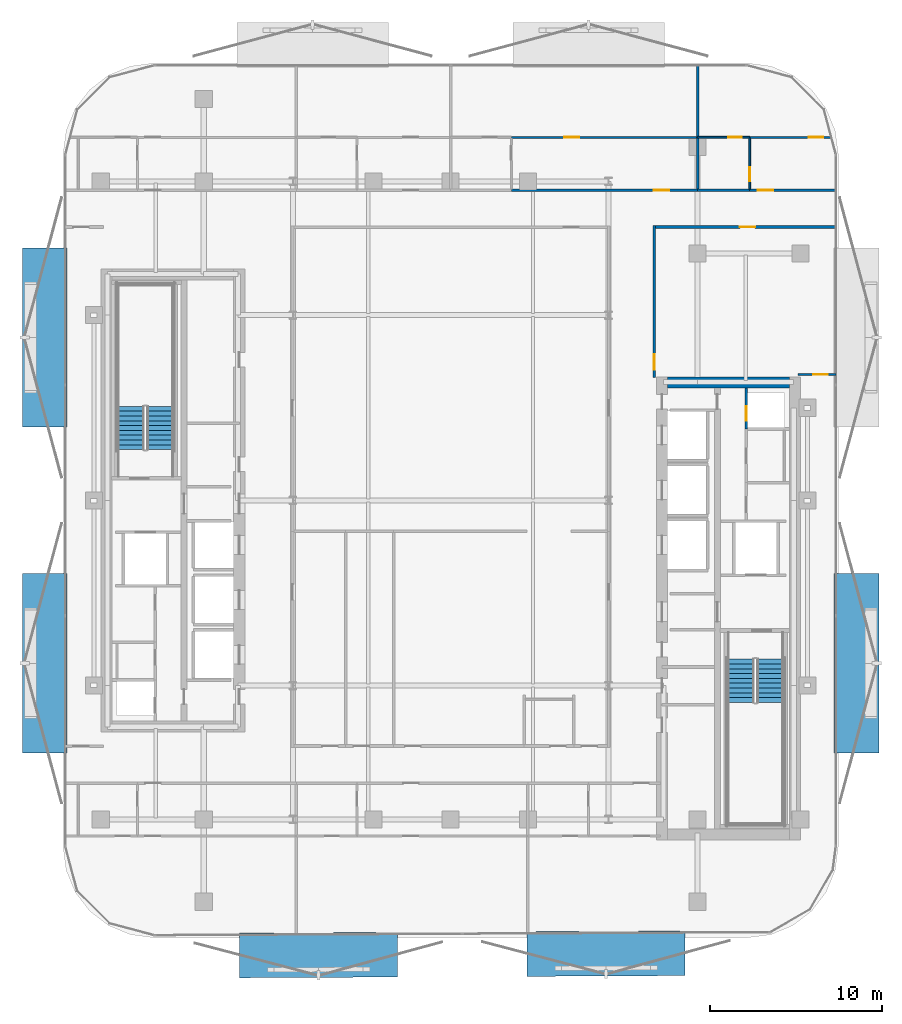
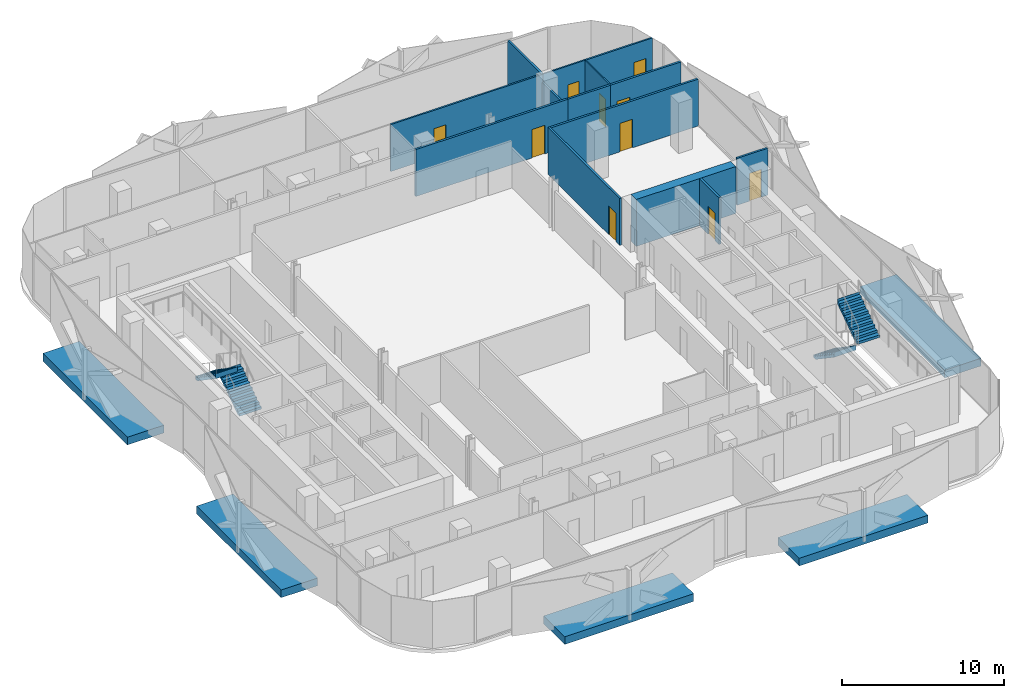
# One storey, part 7 of 17: 14 walls, 10 doors, 5 discrete accessories, 4 stair flights, 10 openings, 2 elements without a shape of their own.
"""IFC4 building model written with IfcOpenShell, lengths in metres."""

from ifc_helpers import new_model, si_unit, direction, frame, frame_2d, origin, origin_2d, place, context, subcontext, project, spatial, polyline, rectangle, outline, extrude, material, layer, layer_set, type_object, element, fill, aggregate, save


model = new_model("IFC4")

# Units and contexts
model_context = context("Model", 3, precision=1e-05, world=origin(), true_north=direction((0.0, 1.0)))
body_context = subcontext(model_context, "Body", "Model", "MODEL_VIEW")
ifc_project = project(units=[si_unit("LENGTHUNIT", "METRE"), si_unit("AREAUNIT", "SQUARE_METRE"), si_unit("VOLUMEUNIT", "CUBIC_METRE"), si_unit("PLANEANGLEUNIT", "RADIAN"), si_unit("MASSUNIT", "GRAM", prefix="KILO")], contexts=[model_context])

# Site, building, storey
site_placement = place(None, origin())
site = spatial("IfcSite", under=ifc_project, at=site_placement, CompositionType="ELEMENT")
building_placement = place(site_placement, origin())
building = spatial("IfcBuilding", under=site, at=building_placement, Name="Khairoan Windgate Tower", CompositionType="ELEMENT")
storey_placement = place(building_placement, frame((0.0, 0.0, 199.199951171875)))
storey = spatial("IfcBuildingStorey", under=building, at=storey_placement, Name="L46", CompositionType="ELEMENT", Elevation=199.199951171875)

# Wall, opening, door
ifc_material_1 = material(Name="Moisture-Resistant Gypsum Partition", Category="gypsum")
ifc_layer_1 = layer(ifc_material_1, 0.10009765625, Name="Moisture-Resistant Gypsum Partition")
ifc_layer_set_1 = layer_set([ifc_layer_1], Name="Moisture-Resistant Gypsum Partition")
wall_type_1 = type_object("IfcWallType", Name="Bathroom Wet-Area Partition Wall", PredefinedType="PARTITIONING", material=ifc_layer_set_1)
wall_1_placement = place(storey_placement, frame((17.43603515625, 18.155029296875, 0.0), z_axis=(0.0, 0.0, 1.0), x_axis=(0.0, 1.0, 0.0)))
wall_1 = element("IfcWall", 1, at=wall_1_placement, inside=storey, type_object=wall_type_1, Name="L46 Interior Partition 065", PredefinedType="PARTITIONING", context=body_context, shape_type="SweptSolid", body=[
    extrude(rectangle(XDim=2.965087890625, YDim=0.10009765625, at=frame_2d((1.482421875, 0.0))), origin(), (0.0, 0.0, 1.0), 3.5400390625),
])
opening_1_placement = place(wall_1_placement, frame((0.4599609375, 0.0, 0.0)))
opening_1 = element("IfcOpeningElement", 2, at=opening_1_placement, cuts=wall_1, Name="Opening ID-BTH", PredefinedType="OPENING", context=body_context, shape_type="SweptSolid", body=[
    extrude(rectangle(XDim=0.800048828125, YDim=2.10009765625, at=frame_2d((0.39990234375, 1.050048828125))), frame((0.0, 0.06005859375, 0.0), z_axis=(0.0, -1.0, 0.0), x_axis=(1.0, 0.0, 0.0)), (0.0, 0.0, 1.0), 0.1201171875),
])
ifc_material_2 = material(Name="Teak Veneer Timber Leaf", Category="wood")
door_type_1 = type_object("IfcDoorType", Name="Internal Bathroom Door ID-BTH 800x2100", OperationType="NOTDEFINED", PredefinedType="DOOR", material=ifc_material_2)
door_1_placement = place(opening_1_placement, origin())
door_1 = element("IfcDoor", 3, at=door_1_placement, inside=storey, type_object=door_type_1, Name="L46 L46-49-L46-50 Door", OperationType="SINGLE_SWING_RIGHT", OverallHeight=2.10009765625, OverallWidth=0.800048828125, PredefinedType="DOOR", context=body_context, shape_type="SweptSolid", body=[
    extrude(rectangle(XDim=0.800048828125, YDim=2.10009765625, at=frame_2d((0.39990234375, 1.050048828125))), frame((0.0, 0.02490234375, 0.0), z_axis=(0.0, -1.0, 0.0), x_axis=(1.0, 0.0, 0.0)), (0.0, 0.0, 1.0), 0.050048828125),
])
fill(opening_1, door_1)

wall_2_placement = place(storey_placement, frame((14.39990234375, 21.169921875, 0.0), z_axis=(0.0, 0.0, 1.0), x_axis=(1.0, 0.0, 0.0)))
wall_2 = element("IfcWall", 4, at=wall_2_placement, inside=storey, type_object=wall_type_1, Name="L46 Interior Partition 066", PredefinedType="PARTITIONING", context=body_context, shape_type="SweptSolid", body=[
    extrude(rectangle(XDim=3.0361328125, YDim=0.10009765625, at=frame_2d((1.51806640625, 0.0))), origin(), (0.0, 0.0, 1.0), 3.5400390625),
])
opening_2_placement = place(wall_2_placement, frame((1.77587890625, 0.0, 0.0)))
opening_2 = element("IfcOpeningElement", 5, at=opening_2_placement, cuts=wall_2, Name="Opening ID-BTH", PredefinedType="OPENING", context=body_context, shape_type="SweptSolid", body=[
    extrude(rectangle(XDim=0.800048828125, YDim=2.10009765625, at=frame_2d((0.39990234375, 1.050048828125))), frame((0.0, 0.06005859375, 0.0), z_axis=(0.0, -1.0, 0.0), x_axis=(1.0, 0.0, 0.0)), (0.0, 0.0, 1.0), 0.1201171875),
])
door_2_placement = place(opening_2_placement, origin())
door_2 = element("IfcDoor", 6, at=door_2_placement, inside=storey, type_object=door_type_1, Name="L46 L46-49-L46-51 Door", OperationType="SINGLE_SWING_LEFT", OverallHeight=2.10009765625, OverallWidth=0.800048828125, PredefinedType="DOOR", context=body_context, shape_type="SweptSolid", body=[
    extrude(rectangle(XDim=0.800048828125, YDim=2.10009765625, at=frame_2d((0.39990234375, 1.050048828125))), frame((0.0, 0.02490234375, 0.0), z_axis=(0.0, -1.0, 0.0), x_axis=(1.0, 0.0, 0.0)), (0.0, 0.0, 1.0), 0.050048828125),
])
fill(opening_2, door_2)

# Walls
ifc_material_3 = material(Name="Acoustic Fire-Rated Gypsum Partition", Category="gypsum")
ifc_layer_2 = layer(ifc_material_3, 0.139892578125, Name="Acoustic Fire-Rated Gypsum Partition")
ifc_layer_set_2 = layer_set([ifc_layer_2], Name="Acoustic Fire-Rated Gypsum Partition")
wall_type_2 = type_object("IfcWallType", Name="Inter-Tenancy Compartment Wall", PredefinedType="PARTITIONING", material=ifc_layer_set_2)
wall_3_placement = place(storey_placement, frame((14.39990234375, 18.155029296875, 0.0), z_axis=(0.0, 0.0, 1.0), x_axis=(0.0, 1.0, 0.0)))
element("IfcWall", 7, at=wall_3_placement, inside=storey, type_object=wall_type_2, Name="L46 Interior Partition 063", PredefinedType="PARTITIONING", context=body_context, shape_type="SweptSolid", body=[
    extrude(rectangle(XDim=3.014892578125, YDim=0.139892578125, at=frame_2d((1.50732421875, 0.0))), origin(), (0.0, 0.0, 1.0), 2.9521484375),
])
wall_4_placement = place(storey_placement, frame((14.39990234375, 21.169921875, 0.0), z_axis=(0.0, 0.0, 1.0), x_axis=(0.0, 1.0, 0.0)))
element("IfcWall", 8, at=wall_4_placement, inside=storey, type_object=wall_type_2, Name="L46 Interior Partition 064", PredefinedType="PARTITIONING", context=body_context, shape_type="SweptSolid", body=[
    extrude(rectangle(XDim=4.18505859375, YDim=0.139892578125, at=frame_2d((2.092529296875, 0.0))), origin(), (0.0, 0.0, 1.0), 3.5400390625),
])

# Wall, opening, door
wall_5_placement = place(storey_placement, frame((20.239990234375, 7.340087890625, 0.0), z_axis=(0.0, 0.0, 1.0), x_axis=(1.0, 0.0, 0.0)))
wall_5 = element("IfcWall", 9, at=wall_5_placement, inside=storey, type_object=wall_type_2, Name="L46 Interior Partition 081", PredefinedType="PARTITIONING", context=body_context, shape_type="SweptSolid", body=[
    extrude(rectangle(XDim=2.215087890625, YDim=0.139892578125, at=frame_2d((1.107421875, 0.0))), origin(), (0.0, 0.0, 1.0), 3.5400390625),
])
opening_3_placement = place(wall_5_placement, frame((0.905029296875, 0.0, 0.0)))
opening_3 = element("IfcOpeningElement", 10, at=opening_3_placement, cuts=wall_5, Name="Opening FD-SRV", PredefinedType="OPENING", context=body_context, shape_type="SweptSolid", body=[
    extrude(rectangle(XDim=0.85009765625, YDim=2.10009765625, at=frame_2d((0.425048828125, 1.050048828125))), frame((0.0, 0.079833984375, 0.0), z_axis=(0.0, -1.0, 0.0), x_axis=(1.0, 0.0, 0.0)), (0.0, 0.0, 1.0), 0.159912109375),
])
ifc_material_4 = material(Name="Steel S355", Category="steel")
door_type_2 = type_object("IfcDoorType", Name="Core Service and Riser Fire Door FD-SRV 850x2100", OperationType="NOTDEFINED", PredefinedType="DOOR", material=ifc_material_4)
door_3_placement = place(opening_3_placement, origin())
door_3 = element("IfcDoor", 11, at=door_3_placement, inside=storey, type_object=door_type_2, Name="L46 L46-61-L46-63 Door", OperationType="SINGLE_SWING_RIGHT", OverallHeight=2.10009765625, OverallWidth=0.85009765625, PredefinedType="DOOR", context=body_context, shape_type="SweptSolid", body=[
    extrude(rectangle(XDim=0.85009765625, YDim=2.10009765625, at=frame_2d((0.425048828125, 1.050048828125))), frame((0.0, 0.02490234375, 0.0), z_axis=(0.0, -1.0, 0.0), x_axis=(1.0, 0.0, 0.0)), (0.0, 0.0, 1.0), 0.050048828125),
])
fill(opening_3, door_3)

ifc_material_5 = material(Name="Gypsum Stud Partition", Category="gypsum")
ifc_layer_3 = layer(ifc_material_5, 0.1201171875, Name="Gypsum Stud Partition")
ifc_layer_set_3 = layer_set([ifc_layer_3], Name="Gypsum Stud Partition")
wall_type_3 = type_object("IfcWallType", Name="Internal Room Partition Wall", PredefinedType="PARTITIONING", material=ifc_layer_set_3)
wall_6_placement = place(storey_placement, frame((3.5400390625, 21.169921875, 0.0), z_axis=(0.0, 0.0, 1.0), x_axis=(1.0, 0.0, 0.0)))
wall_6 = element("IfcWall", 12, at=wall_6_placement, inside=storey, type_object=wall_type_3, Name="L46 Interior Partition 062", PredefinedType="PARTITIONING", context=body_context, shape_type="SweptSolid", body=[
    extrude(rectangle(XDim=10.85986328125, YDim=0.1201171875, at=frame_2d((5.429931640625, 0.0))), origin(), (0.0, 0.0, 1.0), 3.5400390625),
])
opening_4_placement = place(wall_6_placement, frame((3.0830078125, 0.0, 0.0)))
opening_4 = element("IfcOpeningElement", 13, at=opening_4_placement, cuts=wall_6, Name="Opening ID-RM", PredefinedType="OPENING", context=body_context, shape_type="SweptSolid", body=[
    extrude(rectangle(XDim=0.860107421875, YDim=2.14990234375, at=frame_2d((0.43017578125, 1.074951171875))), frame((0.0, 0.070068359375, 0.0), z_axis=(0.0, -1.0, 0.0), x_axis=(1.0, 0.0, 0.0)), (0.0, 0.0, 1.0), 0.14013671875),
])
ifc_material_6 = material(Name="Teak Veneer Timber Leaf", Category="wood")
door_type_3 = type_object("IfcDoorType", Name="Internal Bedroom and Office Door ID-RM 860x2150", OperationType="NOTDEFINED", PredefinedType="DOOR", material=ifc_material_6)
door_4_placement = place(opening_4_placement, origin())
door_4 = element("IfcDoor", 14, at=door_4_placement, inside=storey, type_object=door_type_3, Name="L46 L46-47-L46-48 Door", OperationType="SINGLE_SWING_LEFT", OverallHeight=2.14990234375, OverallWidth=0.860107421875, PredefinedType="DOOR", context=body_context, shape_type="SweptSolid", body=[
    extrude(rectangle(XDim=0.860107421875, YDim=2.14990234375, at=frame_2d((0.43017578125, 1.074951171875))), frame((0.0, 0.02490234375, 0.0), z_axis=(0.0, -1.0, 0.0), x_axis=(1.0, 0.0, 0.0)), (0.0, 0.0, 1.0), 0.050048828125),
])
fill(opening_4, door_4)

wall_7_placement = place(storey_placement, frame((17.43603515625, 21.169921875, 0.0), z_axis=(0.0, 0.0, 1.0), x_axis=(1.0, 0.0, 0.0)))
wall_7 = element("IfcWall", 15, at=wall_7_placement, inside=storey, type_object=wall_type_3, Name="L46 Interior Partition 067", PredefinedType="PARTITIONING", context=body_context, shape_type="SweptSolid", body=[
    extrude(rectangle(XDim=4.757080078125, YDim=0.1201171875, at=frame_2d((2.37841796875, 0.0))), origin(), (0.0, 0.0, 1.0), 3.5400390625),
])
opening_5_placement = place(wall_7_placement, frame((3.43701171875, 0.0, 0.0)))
opening_5 = element("IfcOpeningElement", 16, at=opening_5_placement, cuts=wall_7, Name="Opening ID-RM", PredefinedType="OPENING", context=body_context, shape_type="SweptSolid", body=[
    extrude(rectangle(XDim=0.860107421875, YDim=2.14990234375, at=frame_2d((0.43017578125, 1.074951171875))), frame((0.0, 0.070068359375, 0.0), z_axis=(0.0, -1.0, 0.0), x_axis=(1.0, 0.0, 0.0)), (0.0, 0.0, 1.0), 0.14013671875),
])
door_5_placement = place(opening_5_placement, origin())
door_5 = element("IfcDoor", 17, at=door_5_placement, inside=storey, type_object=door_type_3, Name="L46 L46-50-L46-51 Door", OperationType="SINGLE_SWING_RIGHT", OverallHeight=2.14990234375, OverallWidth=0.860107421875, PredefinedType="DOOR", context=body_context, shape_type="SweptSolid", body=[
    extrude(rectangle(XDim=0.860107421875, YDim=2.14990234375, at=frame_2d((0.43017578125, 1.074951171875))), frame((0.0, 0.02490234375, 0.0), z_axis=(0.0, -1.0, 0.0), x_axis=(1.0, 0.0, 0.0)), (0.0, 0.0, 1.0), 0.050048828125),
])
fill(opening_5, door_5)

ifc_material_7 = material(Name="Concrete C40/50", Category="concrete")
ifc_layer_4 = layer(ifc_material_7, 0.159912109375, Name="Concrete C40/50")
ifc_layer_set_4 = layer_set([ifc_layer_4], Name="Concrete C40/50")
wall_type_4 = type_object("IfcWallType", Name="Plant and Refuge Compartment Wall", PredefinedType="PARTITIONING", material=ifc_layer_set_4)
wall_8_placement = place(storey_placement, frame((17.22998046875, 4.169921875, 0.0), z_axis=(0.0, 0.0, 1.0), x_axis=(0.0, 1.0, 0.0)))
wall_8 = element("IfcWall", 18, at=wall_8_placement, inside=storey, type_object=wall_type_4, Name="L46 Interior Partition 007", PredefinedType="PARTITIONING", context=body_context, shape_type="SweptSolid", body=[
    extrude(rectangle(XDim=2.380126953125, YDim=0.159912109375, at=frame_2d((1.18994140625, 0.0))), origin(), (0.0, 0.0, 1.0), 3.5400390625),
])
opening_6_placement = place(wall_8_placement, frame((0.4599609375, 0.0, 0.0)))
opening_6 = element("IfcOpeningElement", 19, at=opening_6_placement, cuts=wall_8, Name="Opening FD-SRV", PredefinedType="OPENING", context=body_context, shape_type="SweptSolid", body=[
    extrude(rectangle(XDim=0.85009765625, YDim=2.10009765625, at=frame_2d((0.425048828125, 1.050048828125))), frame((0.0, 0.08984375, 0.0), z_axis=(0.0, -1.0, 0.0), x_axis=(1.0, 0.0, 0.0)), (0.0, 0.0, 1.0), 0.179931640625),
])
door_6_placement = place(opening_6_placement, origin())
door_6 = element("IfcDoor", 20, at=door_6_placement, inside=storey, type_object=door_type_2, Name="L46 L46-18-L46-19 Door", OperationType="SINGLE_SWING_LEFT", OverallHeight=2.10009765625, OverallWidth=0.85009765625, PredefinedType="DOOR", context=body_context, shape_type="SweptSolid", body=[
    extrude(rectangle(XDim=0.85009765625, YDim=2.10009765625, at=frame_2d((0.425048828125, 1.050048828125))), frame((0.0, 0.02490234375, 0.0), z_axis=(0.0, -1.0, 0.0), x_axis=(1.0, 0.0, 0.0)), (0.0, 0.0, 1.0), 0.050048828125),
])
fill(opening_6, door_6)

ifc_material_8 = material(Name="Acoustic Fire-Rated Gypsum Partition", Category="gypsum")
ifc_layer_5 = layer(ifc_material_8, 0.14990234375, Name="Acoustic Fire-Rated Gypsum Partition")
ifc_layer_set_5 = layer_set([ifc_layer_5], Name="Acoustic Fire-Rated Gypsum Partition")
wall_type_5 = type_object("IfcWallType", Name="Rated Corridor Partition Wall", PredefinedType="PARTITIONING", material=ifc_layer_set_5)
wall_9_placement = place(storey_placement, frame((11.8798828125, 7.159912109375, 0.0), z_axis=(0.0, 0.0, 1.0), x_axis=(0.0, 1.0, 0.0)))
wall_9 = element("IfcWall", 21, at=wall_9_placement, inside=storey, type_object=wall_type_5, Name="L46 Interior Partition 018", PredefinedType="PARTITIONING", context=body_context, shape_type="SweptSolid", body=[
    extrude(rectangle(XDim=8.85498046875, YDim=0.14990234375, at=frame_2d((4.427490234375, 0.0))), origin(), (0.0, 0.0, 1.0), 3.5400390625),
])
opening_7_placement = place(wall_9_placement, frame((0.4599609375, 0.0, 0.0)))
opening_7 = element("IfcOpeningElement", 22, at=opening_7_placement, cuts=wall_9, Name="Opening FD-ENT", PredefinedType="OPENING", context=body_context, shape_type="SweptSolid", body=[
    extrude(rectangle(XDim=0.89990234375, YDim=2.14990234375, at=frame_2d((0.449951171875, 1.074951171875))), frame((0.0, 0.0849609375, 0.0), z_axis=(0.0, -1.0, 0.0), x_axis=(1.0, 0.0, 0.0)), (0.0, 0.0, 1.0), 0.169921875),
])
ifc_material_9 = material(Name="Timber Fire-Rated Core", Category="wood")
door_type_4 = type_object("IfcDoorType", Name="Unit and Office Fire Entrance Door FD-ENT 900x2150", OperationType="NOTDEFINED", PredefinedType="DOOR", material=ifc_material_9)
door_7_placement = place(opening_7_placement, origin())
door_7 = element("IfcDoor", 23, at=door_7_placement, inside=storey, type_object=door_type_4, Name="L46 L46-31-L46-61 Door", OperationType="SINGLE_SWING_RIGHT", OverallHeight=2.14990234375, OverallWidth=0.89990234375, PredefinedType="DOOR", context=body_context, shape_type="SweptSolid", body=[
    extrude(rectangle(XDim=0.89990234375, YDim=2.14990234375, at=frame_2d((0.449951171875, 1.074951171875))), frame((0.0, 0.02490234375, 0.0), z_axis=(0.0, -1.0, 0.0), x_axis=(1.0, 0.0, 0.0)), (0.0, 0.0, 1.0), 0.050048828125),
])
fill(opening_7, door_7)

wall_10_placement = place(storey_placement, frame((3.5400390625, 18.080078125, 0.0), z_axis=(0.0, 0.0, 1.0), x_axis=(1.0, 0.0, 0.0)))
wall_10 = element("IfcWall", 24, at=wall_10_placement, inside=storey, type_object=wall_type_5, Name="L46 Interior Partition 025", PredefinedType="PARTITIONING", context=body_context, shape_type="SweptSolid", body=[
    extrude(rectangle(XDim=10.85986328125, YDim=0.14990234375, at=frame_2d((5.429931640625, 0.0))), origin(), (0.0, 0.0, 1.0), 3.5400390625),
])
opening_8_placement = place(wall_10_placement, frame((8.294677734375, 0.0, 0.0)))
opening_8 = element("IfcOpeningElement", 25, at=opening_8_placement, cuts=wall_10, Name="Opening FD-ENT", PredefinedType="OPENING", context=body_context, shape_type="SweptSolid", body=[
    extrude(rectangle(XDim=0.89990234375, YDim=2.14990234375, at=frame_2d((0.449951171875, 1.074951171875))), frame((0.0, 0.0849609375, 0.0), z_axis=(0.0, -1.0, 0.0), x_axis=(1.0, 0.0, 0.0)), (0.0, 0.0, 1.0), 0.169921875),
])
door_8_placement = place(opening_8_placement, origin())
door_8 = element("IfcDoor", 26, at=door_8_placement, inside=storey, type_object=door_type_4, Name="L46 L46-32-L46-47 Door", OperationType="SINGLE_SWING_RIGHT", OverallHeight=2.14990234375, OverallWidth=0.89990234375, PredefinedType="DOOR", context=body_context, shape_type="SweptSolid", body=[
    extrude(rectangle(XDim=0.89990234375, YDim=2.14990234375, at=frame_2d((0.449951171875, 1.074951171875))), frame((0.0, 0.02490234375, 0.0), z_axis=(0.0, -1.0, 0.0), x_axis=(1.0, 0.0, 0.0)), (0.0, 0.0, 1.0), 0.050048828125),
])
fill(opening_8, door_8)

# Wall
wall_11_placement = place(storey_placement, frame((14.39990234375, 18.080078125, 0.0), z_axis=(0.0, 0.0, 1.0), x_axis=(1.0, 0.0, 0.0)))
element("IfcWall", 27, at=wall_11_placement, inside=storey, type_object=wall_type_5, Name="L46 Interior Partition 026", PredefinedType="PARTITIONING", context=body_context, shape_type="SweptSolid", body=[
    extrude(rectangle(XDim=3.0361328125, YDim=0.14990234375, at=frame_2d((1.51806640625, 0.0))), origin(), (0.0, 0.0, 1.0), 3.5400390625),
])

# Wall, opening, door
wall_12_placement = place(storey_placement, frame((17.43603515625, 18.080078125, 0.0), z_axis=(0.0, 0.0, 1.0), x_axis=(1.0, 0.0, 0.0)))
wall_12 = element("IfcWall", 28, at=wall_12_placement, inside=storey, type_object=wall_type_5, Name="L46 Interior Partition 027", PredefinedType="PARTITIONING", context=body_context, shape_type="SweptSolid", body=[
    extrude(rectangle(XDim=5.01904296875, YDim=0.14990234375, at=frame_2d((2.509521484375, 0.0))), origin(), (0.0, 0.0, 1.0), 3.5400390625),
])
opening_9_placement = place(wall_12_placement, frame((0.4599609375, 0.0, 0.0)))
opening_9 = element("IfcOpeningElement", 29, at=opening_9_placement, cuts=wall_12, Name="Opening FD-ENT", PredefinedType="OPENING", context=body_context, shape_type="SweptSolid", body=[
    extrude(rectangle(XDim=0.89990234375, YDim=2.14990234375, at=frame_2d((0.449951171875, 1.074951171875))), frame((0.0, 0.0849609375, 0.0), z_axis=(0.0, -1.0, 0.0), x_axis=(1.0, 0.0, 0.0)), (0.0, 0.0, 1.0), 0.169921875),
])
door_9_placement = place(opening_9_placement, origin())
door_9 = element("IfcDoor", 30, at=door_9_placement, inside=storey, type_object=door_type_4, Name="L46 L46-32-L46-50 Door", OperationType="SINGLE_SWING_LEFT", OverallHeight=2.14990234375, OverallWidth=0.89990234375, PredefinedType="DOOR", context=body_context, shape_type="SweptSolid", body=[
    extrude(rectangle(XDim=0.89990234375, YDim=2.14990234375, at=frame_2d((0.449951171875, 1.074951171875))), frame((0.0, 0.02490234375, 0.0), z_axis=(0.0, -1.0, 0.0), x_axis=(1.0, 0.0, 0.0)), (0.0, 0.0, 1.0), 0.050048828125),
])
fill(opening_9, door_9)

wall_13_placement = place(storey_placement, frame((11.955078125, 15.93994140625, 0.0), z_axis=(0.0, 0.0, 1.0), x_axis=(1.0, 0.0, 0.0)))
wall_13 = element("IfcWall", 31, at=wall_13_placement, inside=storey, type_object=wall_type_5, Name="L46 Interior Partition 028", PredefinedType="PARTITIONING", context=body_context, shape_type="SweptSolid", body=[
    extrude(rectangle(XDim=10.5, YDim=0.14990234375, at=frame_2d((5.25, 0.0))), origin(), (0.0, 0.0, 1.0), 3.5400390625),
])
opening_10_placement = place(wall_13_placement, frame((4.90087890625, 0.0, 0.0)))
opening_10 = element("IfcOpeningElement", 32, at=opening_10_placement, cuts=wall_13, Name="Opening FD-ENT", PredefinedType="OPENING", context=body_context, shape_type="SweptSolid", body=[
    extrude(rectangle(XDim=0.89990234375, YDim=2.14990234375, at=frame_2d((0.449951171875, 1.074951171875))), frame((0.0, 0.0849609375, 0.0), z_axis=(0.0, -1.0, 0.0), x_axis=(1.0, 0.0, 0.0)), (0.0, 0.0, 1.0), 0.169921875),
])
door_10_placement = place(opening_10_placement, origin())
door_10 = element("IfcDoor", 33, at=door_10_placement, inside=storey, type_object=door_type_4, Name="L46 L46-32-L46-61 Door", OperationType="SINGLE_SWING_RIGHT", OverallHeight=2.14990234375, OverallWidth=0.89990234375, PredefinedType="DOOR", context=body_context, shape_type="SweptSolid", body=[
    extrude(rectangle(XDim=0.89990234375, YDim=2.14990234375, at=frame_2d((0.449951171875, 1.074951171875))), frame((0.0, 0.02490234375, 0.0), z_axis=(0.0, -1.0, 0.0), x_axis=(1.0, 0.0, 0.0)), (0.0, 0.0, 1.0), 0.050048828125),
])
fill(opening_10, door_10)

# Wall
ifc_material_10 = material(Name="Concrete C60/75", Category="concrete")
ifc_layer_6 = layer(ifc_material_10, 0.64990234375, Name="Concrete C60/75")
ifc_layer_set_6 = layer_set([ifc_layer_6], Name="Concrete C60/75")
wall_type_6 = type_object("IfcWallType", Name="Shear Wall CW-E2 650mm", PredefinedType="SHEAR", material=ifc_layer_set_6)
wall_14_placement = place(storey_placement, frame((12.64990234375, 6.875, 0.0), z_axis=(0.0, 0.0, 1.0), x_axis=(1.0, 0.0, 0.0)))
element("IfcWall", 34, at=wall_14_placement, inside=storey, type_object=wall_type_6, Name="E Core North Shear Wall L46", PredefinedType="SHEAR", context=body_context, shape_type="SweptSolid", body=[
    extrude(rectangle(XDim=7.10009765625, YDim=0.64990234375, at=frame_2d((3.550048828125, 0.0))), origin(), (0.0, 0.0, 1.0), 3.5400390625),
])

# Stair, stair flights
ifc_material_11 = material(Name="Concrete C40/50", Category="concrete")
stair_type = type_object("IfcStairType", Name="Tower Core Dog-Leg Stair ST-T1 1560mm", PredefinedType="HALF_TURN_STAIR", material=ifc_material_11)
stair_1_placement = place(storey_placement, origin())
stair_1 = element("IfcStair", 35, at=stair_1_placement, inside=storey, type_object=stair_type, Name="L46 Stair ST1", PredefinedType="HALF_TURN_STAIR")
ifc_material_12 = material(Name="Concrete C40/50", Category="concrete")
ifc_layer_7 = layer(ifc_material_12, 0.14990234375, Name="Concrete C40/50")
ifc_layer_set_7 = layer_set([ifc_layer_7], Name="Concrete C40/50")
stair_flight_type = type_object("IfcStairFlightType", Name="Tower Core Stair Flight STF-1560", PredefinedType="STRAIGHT", material=ifc_layer_set_7)
stair_flight_1_placement = place(storey_placement, frame((16.929931640625, -9.260009765625, 0.0), z_axis=(0.0, 0.0, 1.0), x_axis=(0.0, -1.0, 0.0)))
stair_flight_1 = element("IfcStairFlight", 36, at=stair_flight_1_placement, type_object=stair_flight_type, Name="ST1 flight 1", NumberOfRisers=10, NumberOfTreads=9, PredefinedType="STRAIGHT", RiserHeight=0.19, TreadLength=0.28, context=body_context, shape_type="SweptSolid", body=[
    extrude(outline(polyline([(-0.00390625, 0.0), (-0.00390625, 0.18994140625), (0.0, 0.18994140625), (0.280029296875, 0.18994140625), (0.280029296875, 0.3798828125), (0.56005859375, 0.3798828125), (0.56005859375, 0.570068359375), (0.840087890625, 0.570068359375), (0.840087890625, 0.760009765625), (1.1201171875, 0.760009765625), (1.1201171875, 0.949951171875), (1.39990234375, 0.949951171875), (1.39990234375, 1.139892578125), (1.679931640625, 1.139892578125), (1.679931640625, 1.330078125), (1.9599609375, 1.330078125), (1.9599609375, 1.52001953125), (2.239990234375, 1.52001953125), (2.239990234375, 1.7099609375), (2.52001953125, 1.7099609375), (2.52001953125, 1.89990234375), (2.52392578125, 1.89990234375), (2.52392578125, 1.52880859375), (0.266845703125, 0.0), (-0.00390625, 0.0)])), frame((0.0, 0.780029296875, 0.0), z_axis=(0.0, -1.0, 0.0), x_axis=(1.0, 0.0, 0.0)), (0.0, 0.0, 1.0), 1.56005859375),
])
stair_flight_2_placement = place(storey_placement, frame((18.639892578125, -11.780029296875, 1.900146484375), z_axis=(0.0, 0.0, 1.0), x_axis=(0.0, 1.0, 0.0)))
stair_flight_2 = element("IfcStairFlight", 37, at=stair_flight_2_placement, type_object=stair_flight_type, Name="ST1 flight 2", NumberOfRisers=10, NumberOfTreads=9, PredefinedType="STRAIGHT", RiserHeight=0.19, TreadLength=0.28, context=body_context, shape_type="SweptSolid", body=[
    extrude(outline(polyline([(-0.00390625, 0.0), (-0.00390625, 0.18994140625), (0.0, 0.18994140625), (0.280029296875, 0.18994140625), (0.280029296875, 0.3798828125), (0.56005859375, 0.3798828125), (0.56005859375, 0.570068359375), (0.840087890625, 0.570068359375), (0.840087890625, 0.760009765625), (1.1201171875, 0.760009765625), (1.1201171875, 0.949951171875), (1.39990234375, 0.949951171875), (1.39990234375, 1.139892578125), (1.679931640625, 1.139892578125), (1.679931640625, 1.330078125), (1.9599609375, 1.330078125), (1.9599609375, 1.52001953125), (2.239990234375, 1.52001953125), (2.239990234375, 1.7099609375), (2.52001953125, 1.7099609375), (2.52001953125, 1.89990234375), (2.52392578125, 1.89990234375), (2.52392578125, 1.52880859375), (0.266845703125, 0.0), (-0.00390625, 0.0)])), frame((0.0, 0.780029296875, 0.0), z_axis=(0.0, -1.0, 0.0), x_axis=(1.0, 0.0, 0.0)), (0.0, 0.0, 1.0), 1.56005859375),
])
aggregate(stair_1, [stair_flight_1, stair_flight_2])

stair_2_placement = place(storey_placement, origin())
stair_2 = element("IfcStair", 38, at=stair_2_placement, inside=storey, type_object=stair_type, Name="L46 Stair ST2", PredefinedType="HALF_TURN_STAIR")
stair_flight_3_placement = place(storey_placement, frame((-16.929931640625, 2.9599609375, 0.0), z_axis=(0.0, 0.0, 1.0), x_axis=(0.0, 1.0, 0.0)))
stair_flight_3 = element("IfcStairFlight", 39, at=stair_flight_3_placement, type_object=stair_flight_type, Name="ST2 flight 1", NumberOfRisers=10, NumberOfTreads=9, PredefinedType="STRAIGHT", RiserHeight=0.19, TreadLength=0.28, context=body_context, shape_type="SweptSolid", body=[
    extrude(outline(polyline([(-0.00390625, 0.0), (-0.00390625, 0.18994140625), (0.0, 0.18994140625), (0.280029296875, 0.18994140625), (0.280029296875, 0.3798828125), (0.56005859375, 0.3798828125), (0.56005859375, 0.570068359375), (0.840087890625, 0.570068359375), (0.840087890625, 0.760009765625), (1.1201171875, 0.760009765625), (1.1201171875, 0.949951171875), (1.39990234375, 0.949951171875), (1.39990234375, 1.139892578125), (1.679931640625, 1.139892578125), (1.679931640625, 1.330078125), (1.9599609375, 1.330078125), (1.9599609375, 1.52001953125), (2.239990234375, 1.52001953125), (2.239990234375, 1.7099609375), (2.52001953125, 1.7099609375), (2.52001953125, 1.89990234375), (2.52392578125, 1.89990234375), (2.52392578125, 1.52880859375), (0.266845703125, 0.0), (-0.00390625, 0.0)])), frame((0.0, 0.780029296875, 0.0), z_axis=(0.0, -1.0, 0.0), x_axis=(1.0, 0.0, 0.0)), (0.0, 0.0, 1.0), 1.56005859375),
])
stair_flight_4_placement = place(storey_placement, frame((-18.639892578125, 5.47998046875, 1.900146484375), z_axis=(0.0, 0.0, 1.0), x_axis=(0.0, -1.0, 0.0)))
stair_flight_4 = element("IfcStairFlight", 40, at=stair_flight_4_placement, type_object=stair_flight_type, Name="ST2 flight 2", NumberOfRisers=10, NumberOfTreads=9, PredefinedType="STRAIGHT", RiserHeight=0.19, TreadLength=0.28, context=body_context, shape_type="SweptSolid", body=[
    extrude(outline(polyline([(-0.00390625, 0.0), (-0.00390625, 0.18994140625), (0.0, 0.18994140625), (0.280029296875, 0.18994140625), (0.280029296875, 0.3798828125), (0.56005859375, 0.3798828125), (0.56005859375, 0.570068359375), (0.840087890625, 0.570068359375), (0.840087890625, 0.760009765625), (1.1201171875, 0.760009765625), (1.1201171875, 0.949951171875), (1.39990234375, 0.949951171875), (1.39990234375, 1.139892578125), (1.679931640625, 1.139892578125), (1.679931640625, 1.330078125), (1.9599609375, 1.330078125), (1.9599609375, 1.52001953125), (2.239990234375, 1.52001953125), (2.239990234375, 1.7099609375), (2.52001953125, 1.7099609375), (2.52001953125, 1.89990234375), (2.52392578125, 1.89990234375), (2.52392578125, 1.52880859375), (0.266845703125, 0.0), (-0.00390625, 0.0)])), frame((0.0, 0.780029296875, 0.0), z_axis=(0.0, -1.0, 0.0), x_axis=(1.0, 0.0, 0.0)), (0.0, 0.0, 1.0), 1.56005859375),
])
aggregate(stair_2, [stair_flight_3, stair_flight_4])

# Discrete accessories
ifc_material_13 = material(Name="Steel S355", Category="steel")
discrete_accessory_type = type_object("IfcDiscreteAccessoryType", Name="Solar Screen Outrigger Slab Bracket SSB-1", PredefinedType="BRACKET", material=ifc_material_13)
for number, where, z_axis, x_axis, name in (
    (41, (9.0595703125, -26.43017578125, -0.419921875), (0.0, 0.0, 1.0), (-0.999988059021, -0.004886902454, 0.0), "L46 Solar Screen Outrigger Bracket 305"),
    (42, (-7.703369140625, -26.5126953125, -0.419921875), (0.0, 0.0, 1.0), (-0.999988059021, -0.004886902454, 0.0), "L46 Solar Screen Outrigger Bracket 306"),
):
    element("IfcDiscreteAccessory", number, at=place(storey_placement, frame(where, z_axis=z_axis, x_axis=x_axis)), inside=storey, type_object=discrete_accessory_type, Name=name, PredefinedType="BRACKET", context=body_context, shape_type="SweptSolid", body=[
        extrude(rectangle(XDim=9.219970703125, YDim=2.60009765625, at=origin_2d()), origin(), (0.0, 0.0, 1.0), 0.580078125),
    ])
for number, where, z_axis, x_axis, name in (
    (43, (-23.659912109375, -9.495361328125, -0.419921875), (0.0, 0.0, 1.0), (0.0, 1.0, 0.0), "L46 Solar Screen Outrigger Bracket 307"),
    (44, (-23.659912109375, 9.495361328125, -0.419921875), (0.0, 0.0, 1.0), (0.0, 1.0, 0.0), "L46 Solar Screen Outrigger Bracket 308"),
    (45, (23.659912109375, -9.495361328125, -0.419921875), (0.0, 0.0, 1.0), (0.0, -1.0, 0.0), "L46 Solar Screen Outrigger Bracket 312"),
):
    element("IfcDiscreteAccessory", number, at=place(storey_placement, frame(where, z_axis=z_axis, x_axis=x_axis)), inside=storey, type_object=discrete_accessory_type, Name=name, PredefinedType="BRACKET", context=body_context, shape_type="SweptSolid", body=[
        extrude(rectangle(XDim=10.445068359375, YDim=2.60009765625, at=origin_2d()), origin(), (0.0, 0.0, 1.0), 0.580078125),
    ])

save(model, "model.ifc")
